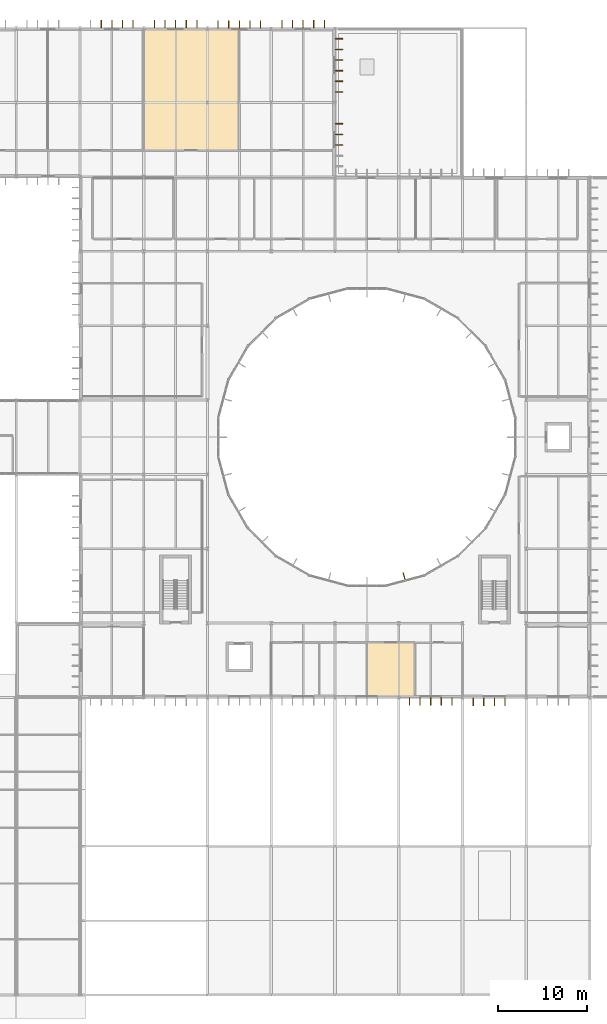
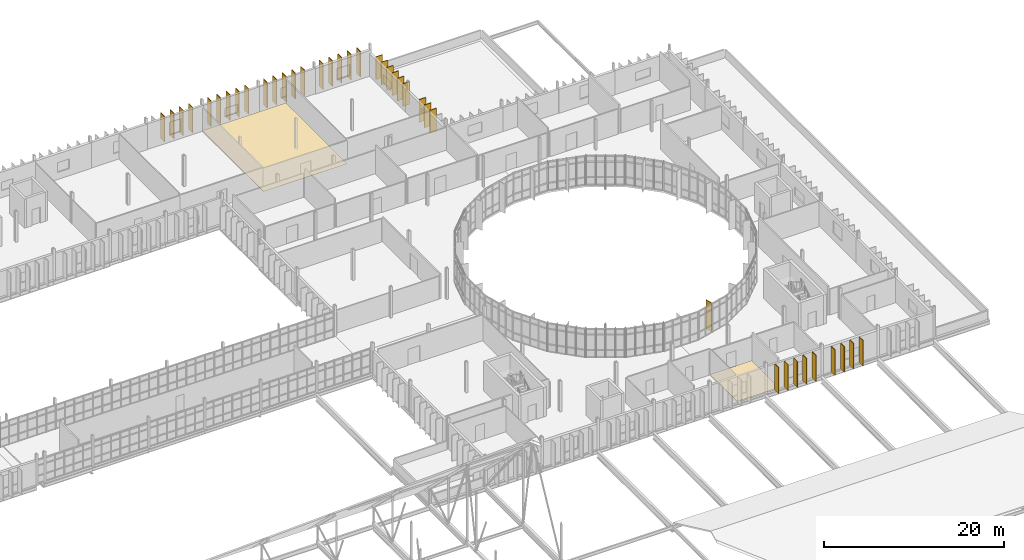
# One storey, part 97 of 99: 38 shading devices, 2 coverings.
"""IFC4 building model written with IfcOpenShell, lengths in metres."""

import ifcopenshell
import ifcopenshell.guid

model = None  # the IFC model being written
_history = None  # IfcOwnerHistory: only IFC2X3 demands one
_inside = {}  # id of a spatial element -> (the spatial element, [elements in it])
_under = {}  # id of a project, library or spatial element -> (it, [spatial elements below it])
_declared = {}  # id of a project -> (the project, [libraries it declares])
_typed = {}  # id of a type object -> (the type object, [elements of that type])
_made_of = {}  # id of a material, layer set ... -> (it, [elements and type objects made of it])


def new_model(schema):
    """Start an empty IFC model of exactly this schema.

    Asked for "IFC4X3", IfcOpenShell would pick the latest addendum, in which some entities
    have other attributes; the version numbers below select the first issue.
    IFC2X3 requires an IfcOwnerHistory on every rooted entity: one is made here for all.
    """
    global model, _history
    if schema == "IFC4X3":
        model = ifcopenshell.file(schema_version=(4, 3, 0, 0))
    else:
        model = ifcopenshell.file(schema=schema)
    _inside.clear()
    _under.clear()
    _declared.clear()
    _typed.clear()
    _made_of.clear()
    _history = None
    if model.schema == "IFC2X3":
        org = make("IfcOrganization", Name="unknown")
        user = make(
            "IfcPersonAndOrganization",
            ThePerson=make("IfcPerson", FamilyName="unknown"),
            TheOrganization=org,
        )
        app = make(
            "IfcApplication",
            ApplicationDeveloper=org,
            Version="unknown",
            ApplicationFullName="unknown",
            ApplicationIdentifier="unknown",
        )
        _history = make(
            "IfcOwnerHistory",
            OwningUser=user,
            OwningApplication=app,
            ChangeAction="ADDED",
            CreationDate=0,
        )
    return model


def make(cls, **values):
    """One entity of the class cls with the attributes given. An attribute that is None is left unset."""
    return model.create_entity(
        cls, **{name: value for name, value in values.items() if value is not None}
    )


def rooted(cls, **values):
    """An entity with a GlobalId (a new one), such as an element, a storey or a relation."""
    return make(cls, GlobalId=ifcopenshell.guid.new(), OwnerHistory=_history, **values)


def si_unit(unit_type, name, prefix=None):
    """IfcSIUnit, for example si_unit("LENGTHUNIT", "METRE", prefix="MILLI")."""
    return make("IfcSIUnit", UnitType=unit_type, Prefix=prefix, Name=name)


def assignment(units):
    """IfcUnitAssignment: the units of a project."""
    return None if units is None else make("IfcUnitAssignment", Units=units)


def point(xyz):
    """IfcCartesianPoint."""
    return None if xyz is None else make("IfcCartesianPoint", Coordinates=xyz)


def direction(xyz):
    """IfcDirection."""
    return None if xyz is None else make("IfcDirection", DirectionRatios=xyz)


def frame(location, z_axis=None, x_axis=None):
    """IfcAxis2Placement3D, a coordinate frame: its origin and axes. An axis left out is left unset."""
    return make(
        "IfcAxis2Placement3D",
        Location=point(location),
        Axis=direction(z_axis),
        RefDirection=direction(x_axis),
    )


def frame_2d(location, x_axis=None):
    """IfcAxis2Placement2D, a coordinate frame in the plane: its origin and x axis."""
    return make(
        "IfcAxis2Placement2D", Location=point(location), RefDirection=direction(x_axis)
    )


def origin():
    """The frame at (0, 0, 0) with its axes left unset."""
    return frame((0.0, 0.0, 0.0))


def origin_2d():
    """The frame at (0, 0) in the plane with its x axis left unset."""
    return frame_2d((0.0, 0.0))


def place(relative_to, where):
    """IfcLocalPlacement: puts the frame where relative to a parent placement (None: the world)."""
    return make(
        "IfcLocalPlacement", PlacementRelTo=relative_to, RelativePlacement=where
    )


def context(
    kind, dimensions, precision=None, world=None, true_north=None, identifier=None
):
    """IfcGeometricRepresentationContext, for example the 3D "Model" context."""
    return make(
        "IfcGeometricRepresentationContext",
        ContextIdentifier=identifier,
        ContextType=kind,
        CoordinateSpaceDimension=dimensions,
        Precision=precision,
        WorldCoordinateSystem=world,
        TrueNorth=true_north,
    )


def subcontext(parent, identifier, kind, view, scale=None):
    """IfcGeometricRepresentationSubContext, for example "Body" below "Model"."""
    return make(
        "IfcGeometricRepresentationSubContext",
        ContextIdentifier=identifier,
        ContextType=kind,
        ParentContext=parent,
        TargetScale=scale,
        TargetView=view,
    )


def project(units=None, contexts=None):
    """IfcProject with its units and contexts."""
    return rooted(
        "IfcProject",
        Name="project",
        RepresentationContexts=contexts,
        UnitsInContext=assignment(units),
    )


def spatial(cls, under=None, at=None, **own):
    """A site, building, storey or space (cls), placed at a placement, below another one or the project."""
    s = rooted(cls, ObjectPlacement=at, **own)
    if under is not None:
        _under.setdefault(under.id(), (under, []))[1].append(s)
    return s


def polyline(points):
    """IfcPolyline through the points."""
    return make("IfcPolyline", Points=[point(p) for p in points])


def profile(cls, at=None, kind="AREA", **sizes):
    """A parametric profile (cls). Its sizes go by their IFC names, for example OverallWidth=200.0."""
    return make(cls, ProfileType=kind, Position=at, **sizes)


def rectangle(**sizes):
    """IfcRectangleProfileDef."""
    return profile("IfcRectangleProfileDef", **sizes)


def outline(outer, holes=None, kind="AREA"):
    """IfcArbitraryClosedProfileDef: a profile drawn as a closed curve; with holes, ...WithVoids."""
    if holes is None:
        return make("IfcArbitraryClosedProfileDef", ProfileType=kind, OuterCurve=outer)
    return make(
        "IfcArbitraryProfileDefWithVoids",
        ProfileType=kind,
        OuterCurve=outer,
        InnerCurves=holes,
    )


def extrude(swept, where, along, depth):
    """IfcExtrudedAreaSolid: the profile swept, set in the frame where, extruded along a direction by depth."""
    return make(
        "IfcExtrudedAreaSolid",
        SweptArea=swept,
        Position=where,
        ExtrudedDirection=direction(along),
        Depth=depth,
    )


def shape(context_of_items, identifier, shape_type, items):
    """IfcShapeRepresentation: the items that make up one representation, for example the "Body"."""
    return make(
        "IfcShapeRepresentation",
        ContextOfItems=context_of_items,
        RepresentationIdentifier=identifier,
        RepresentationType=shape_type,
        Items=items,
    )


def material(Name=None, Category=None):
    """IfcMaterial."""
    return make("IfcMaterial", Name=Name, Category=Category)


def layer(
    of_material, thickness, ventilated=None, Name=None, Category=None, Priority=None
):
    """IfcMaterialLayer: one layer of a wall or slab, of a material (None: an air gap)."""
    return make(
        "IfcMaterialLayer",
        Material=of_material,
        LayerThickness=thickness,
        IsVentilated=ventilated,
        Name=Name,
        Category=Category,
        Priority=Priority,
    )


def layer_set(layers, Name=None):
    """IfcMaterialLayerSet."""
    return make("IfcMaterialLayerSet", MaterialLayers=layers, LayerSetName=Name)


def made_of(thing, what):
    """Note that an element or type object is made of a material, layer set ...; save() writes the relation."""
    if what is not None:
        _made_of.setdefault(what.id(), (what, []))[1].append(thing)
    return thing


def type_object(cls, material=None, **own):
    """A type object (cls), such as IfcWallType, which elements share."""
    return made_of(rooted(cls, **own), material)


def element(
    cls,
    number,
    at=None,
    inside=None,
    cuts=None,
    type_object=None,
    material=None,
    context=None,
    identifier="Body",
    shape_type=None,
    held_by="IfcProductDefinitionShape",
    body=None,
    shapes=None,
    **own,
):
    """One element of the class cls, such as IfcWall. Its Tag is "e" and its number.

    at: its placement. inside: the storey or other place that contains it. cuts: it is an
    opening in that element (IfcRelVoidsElement). A single representation is given by context,
    identifier, shape_type and body (its items); several are given by shapes. held_by: the class
    of the entity that holds the representations. save() writes the other relations.
    """
    e = rooted(cls, Tag="e%d" % number, ObjectPlacement=at, **own)
    if body is not None:
        shapes = [shape(context, identifier, shape_type, body)]
    if shapes is not None:
        e.Representation = make(held_by, Representations=shapes)
    if inside is not None:
        _inside.setdefault(inside.id(), (inside, []))[1].append(e)
    if cuts is not None:
        rooted(
            "IfcRelVoidsElement", RelatingBuildingElement=cuts, RelatedOpeningElement=e
        )
    if type_object is not None:
        _typed.setdefault(type_object.id(), (type_object, []))[1].append(e)
    return made_of(e, material)


def aggregate(whole, parts):
    """IfcRelAggregates: a whole, such as a stair, and the parts it consists of."""
    return rooted("IfcRelAggregates", RelatingObject=whole, RelatedObjects=parts)


def save(model, path):
    """Write the relations noted so far, then the file.

    IfcRelAggregates (storeys below a building ...), IfcRelContainedInSpatialStructure (elements
    in a storey), IfcRelDefinesByType, IfcRelAssociatesMaterial and IfcRelDeclares: one each for
    every whole, place, type object, material and project.
    """
    for whole, parts in _under.values():
        aggregate(whole, parts)
    for where, things in _inside.values():
        rooted(
            "IfcRelContainedInSpatialStructure",
            RelatedElements=things,
            RelatingStructure=where,
        )
    for kind, things in _typed.values():
        rooted("IfcRelDefinesByType", RelatedObjects=things, RelatingType=kind)
    for what, things in _made_of.values():
        rooted("IfcRelAssociatesMaterial", RelatedObjects=things, RelatingMaterial=what)
    for by, libraries in _declared.values():
        rooted("IfcRelDeclares", RelatingContext=by, RelatedDefinitions=libraries)
    model.write(path)


model = new_model("IFC4")

# Units and contexts
model_context = context("Model", 3, precision=1e-05, world=origin(), true_north=direction((0.0, 1.0)))
body_context = subcontext(model_context, "Body", "Model", "MODEL_VIEW")
ifc_project = project(units=[si_unit("LENGTHUNIT", "METRE"), si_unit("AREAUNIT", "SQUARE_METRE"), si_unit("VOLUMEUNIT", "CUBIC_METRE"), si_unit("PLANEANGLEUNIT", "RADIAN"), si_unit("MASSUNIT", "GRAM", prefix="KILO")], contexts=[model_context])

# Site, building, storey
site_placement = place(None, origin())
site = spatial("IfcSite", under=ifc_project, at=site_placement, CompositionType="ELEMENT")
building_placement = place(site_placement, origin())
building = spatial("IfcBuilding", under=site, at=building_placement, Name="Qelthora Terrace Specialist Clinic", CompositionType="ELEMENT")
storey_placement = place(building_placement, frame((0.0, 0.0, 9.0)))
storey = spatial("IfcBuildingStorey", under=building, at=storey_placement, Name="L02", CompositionType="ELEMENT", Elevation=9.0)

# Coverings
ifc_material_1 = material(Name="Antimicrobial clinical linoleum flooring", Category="other")
ifc_layer = layer(ifc_material_1, 0.011962890625)
ifc_layer_set = layer_set([ifc_layer], Name="Antimicrobial clinical linoleum flooring")
covering_type = type_object("IfcCoveringType", Name="COV-FLR-LINO-12", PredefinedType="FLOORING", material=ifc_layer_set)
covering_1_placement = place(storey_placement, origin())
element("IfcCovering", 1, at=covering_1_placement, inside=storey, type_object=covering_type, Name="Hepatology Consultation L02-34 resilient linoleum flooring", PredefinedType="FLOORING", context=body_context, shape_type="SweptSolid", body=[
    extrude(outline(polyline([(126.0048828125, 39.800048828125), (131.39990234375, 39.800048828125), (131.39990234375, 33.72998046875), (126.0048828125, 33.72998046875), (126.0048828125, 39.800048828125)])), origin(), (0.0, 0.0, 1.0), 0.011962890625),
])
covering_2_placement = place(storey_placement, origin())
element("IfcCovering", 2, at=covering_2_placement, inside=storey, type_object=covering_type, Name="Cryopreservation Biobank Room L02-63 resilient linoleum flooring", PredefinedType="FLOORING", context=body_context, shape_type="SweptSolid", body=[
    extrude(outline(polyline([(111.487548828125, 95.39990234375), (100.72998046875, 95.39990234375), (100.72998046875, 109.070068359375), (111.487548828125, 109.070068359375), (111.487548828125, 95.39990234375)])), origin(), (0.0, 0.0, 1.0), 0.011962890625),
])

# Shading devices
ifc_material_2 = material(Name="Glulam timber GL28h", Category="wood")
shading_device_type = type_object("IfcShadingDeviceType", Name="SHD-FIN-850", PredefinedType="USERDEFINED", material=ifc_material_2)
shading_device_placement = place(storey_placement, frame((130.208740234375, 47.292724609375, 0.0), z_axis=(0.0, 0.0, 1.0), x_axis=(-0.258819045103, 0.965925826289, 0.0)))
element("IfcShadingDevice", 3, at=shading_device_placement, inside=storey, type_object=shading_device_type, Name="Court solar fin FIN-0065", ObjectType="FIN", PredefinedType="USERDEFINED", context=body_context, shape_type="SweptSolid", body=[
    extrude(rectangle(XDim=0.85009765625, YDim=0.080078125, at=origin_2d()), origin(), (0.0, 0.0, 1.0), 3.945068359375),
])
for number, where, z_axis, x_axis, name in (
    (4, (96.0, 109.655029296875, 0.0), (0.0, 0.0, 1.0), (0.0, 1.0, 0.0), "Exterior solar shading fin FIN-1249"),
    (5, (97.199951171875, 109.655029296875, 0.0), (0.0, 0.0, 1.0), (0.0, 1.0, 0.0), "Exterior solar shading fin FIN-1250"),
    (6, (98.39990234375, 109.655029296875, 0.0), (0.0, 0.0, 1.0), (0.0, 1.0, 0.0), "Exterior solar shading fin FIN-1251"),
    (7, (99.60009765625, 109.655029296875, 0.0), (0.0, 0.0, 1.0), (0.0, 1.0, 0.0), "Exterior solar shading fin FIN-1252"),
    (8, (102.0, 109.64501953125, 0.0), (0.0, 0.0, 1.0), (0.0, 1.0, 0.0), "Exterior solar shading fin FIN-1253"),
    (9, (103.199951171875, 109.64501953125, 0.0), (0.0, 0.0, 1.0), (0.0, 1.0, 0.0), "Exterior solar shading fin FIN-1254"),
    (10, (104.39990234375, 109.64501953125, 0.0), (0.0, 0.0, 1.0), (0.0, 1.0, 0.0), "Exterior solar shading fin FIN-1255"),
    (11, (105.60009765625, 109.64501953125, 0.0), (0.0, 0.0, 1.0), (0.0, 1.0, 0.0), "Exterior solar shading fin FIN-1256"),
    (12, (106.800048828125, 109.64501953125, 0.0), (0.0, 0.0, 1.0), (0.0, 1.0, 0.0), "Exterior solar shading fin FIN-1257"),
    (13, (109.199951171875, 109.635009765625, 0.0), (0.0, 0.0, 1.0), (0.0, 1.0, 0.0), "Exterior solar shading fin FIN-1258"),
    (14, (110.39990234375, 109.635009765625, 0.0), (0.0, 0.0, 1.0), (0.0, 1.0, 0.0), "Exterior solar shading fin FIN-1259"),
    (15, (111.60009765625, 109.635009765625, 0.0), (0.0, 0.0, 1.0), (0.0, 1.0, 0.0), "Exterior solar shading fin FIN-1260"),
    (16, (112.800048828125, 109.635009765625, 0.0), (0.0, 0.0, 1.0), (0.0, 1.0, 0.0), "Exterior solar shading fin FIN-1261"),
    (17, (114.0, 109.635009765625, 0.0), (0.0, 0.0, 1.0), (0.0, 1.0, 0.0), "Exterior solar shading fin FIN-1262"),
    (18, (116.39990234375, 109.695068359375, 0.0), (0.0, 0.0, 1.0), (0.0, 1.0, 0.0), "Exterior solar shading fin FIN-1263"),
    (19, (117.60009765625, 109.695068359375, 0.0), (0.0, 0.0, 1.0), (0.0, 1.0, 0.0), "Exterior solar shading fin FIN-1264"),
    (20, (118.800048828125, 109.695068359375, 0.0), (0.0, 0.0, 1.0), (0.0, 1.0, 0.0), "Exterior solar shading fin FIN-1265"),
    (21, (120.0, 109.695068359375, 0.0), (0.0, 0.0, 1.0), (0.0, 1.0, 0.0), "Exterior solar shading fin FIN-1266"),
    (22, (121.199951171875, 109.695068359375, 0.0), (0.0, 0.0, 1.0), (0.0, 1.0, 0.0), "Exterior solar shading fin FIN-1267"),
):
    element("IfcShadingDevice", number, at=place(storey_placement, frame(where, z_axis=z_axis, x_axis=x_axis)), inside=storey, type_object=shading_device_type, Name=name, ObjectType="FIN", PredefinedType="USERDEFINED", context=body_context, shape_type="SweptSolid", body=[
        extrude(rectangle(XDim=0.85009765625, YDim=0.080078125, at=origin_2d()), origin(), (0.0, 0.0, 1.0), 3.48193359375),
    ])
for number, where, z_axis, x_axis, name in (
    (23, (122.864990234375, 96.0, 0.0), (0.0, 0.0, 1.0), (1.0, 0.0, 0.0), "Exterior solar shading fin FIN-1270"),
    (24, (122.864990234375, 97.199951171875, 0.0), (0.0, 0.0, 1.0), (1.0, 0.0, 0.0), "Exterior solar shading fin FIN-1271"),
    (25, (122.864990234375, 98.39990234375, 0.0), (0.0, 0.0, 1.0), (1.0, 0.0, 0.0), "Exterior solar shading fin FIN-1272"),
    (26, (122.85498046875, 102.0, 0.0), (0.0, 0.0, 1.0), (1.0, 0.0, 0.0), "Exterior solar shading fin FIN-1273"),
    (27, (122.85498046875, 103.199951171875, 0.0), (0.0, 0.0, 1.0), (1.0, 0.0, 0.0), "Exterior solar shading fin FIN-1274"),
    (28, (122.85498046875, 104.39990234375, 0.0), (0.0, 0.0, 1.0), (1.0, 0.0, 0.0), "Exterior solar shading fin FIN-1275"),
    (29, (122.85498046875, 105.60009765625, 0.0), (0.0, 0.0, 1.0), (1.0, 0.0, 0.0), "Exterior solar shading fin FIN-1276"),
    (30, (122.85498046875, 106.800048828125, 0.0), (0.0, 0.0, 1.0), (1.0, 0.0, 0.0), "Exterior solar shading fin FIN-1277"),
    (31, (122.85498046875, 108.0, 0.0), (0.0, 0.0, 1.0), (1.0, 0.0, 0.0), "Exterior solar shading fin FIN-1278"),
):
    element("IfcShadingDevice", number, at=place(storey_placement, frame(where, z_axis=z_axis, x_axis=x_axis)), inside=storey, type_object=shading_device_type, Name=name, ObjectType="FIN", PredefinedType="USERDEFINED", context=body_context, shape_type="SweptSolid", body=[
        extrude(rectangle(XDim=0.85009765625, YDim=0.080078125, at=origin_2d()), origin(), (0.0, 0.0, 1.0), 3.091064453125),
    ])
for number, where, z_axis, x_axis, name in (
    (32, (130.800048828125, 33.1650390625, 0.0), (0.0, 0.0, 1.0), (0.0, -1.0, 0.0), "Exterior solar shading fin FIN-1358"),
    (33, (132.0, 33.1650390625, 0.0), (0.0, 0.0, 1.0), (0.0, -1.0, 0.0), "Exterior solar shading fin FIN-1359"),
    (34, (133.199951171875, 33.1650390625, 0.0), (0.0, 0.0, 1.0), (0.0, -1.0, 0.0), "Exterior solar shading fin FIN-1360"),
    (35, (134.39990234375, 33.1650390625, 0.0), (0.0, 0.0, 1.0), (0.0, -1.0, 0.0), "Exterior solar shading fin FIN-1361"),
    (36, (135.60009765625, 33.1650390625, 0.0), (0.0, 0.0, 1.0), (0.0, -1.0, 0.0), "Exterior solar shading fin FIN-1362"),
):
    element("IfcShadingDevice", number, at=place(storey_placement, frame(where, z_axis=z_axis, x_axis=x_axis)), inside=storey, type_object=shading_device_type, Name=name, ObjectType="FIN", PredefinedType="USERDEFINED", context=body_context, shape_type="SweptSolid", body=[
        extrude(rectangle(XDim=0.85009765625, YDim=0.080078125, at=origin_2d()), origin(), (0.0, 0.0, 1.0), 3.529052734375),
    ])
for number, where, z_axis, x_axis, name in (
    (37, (138.0, 33.10498046875, 0.0), (0.0, 0.0, 1.0), (0.0, -1.0, 0.0), "Exterior solar shading fin FIN-1363"),
    (38, (139.199951171875, 33.10498046875, 0.0), (0.0, 0.0, 1.0), (0.0, -1.0, 0.0), "Exterior solar shading fin FIN-1364"),
    (39, (140.39990234375, 33.10498046875, 0.0), (0.0, 0.0, 1.0), (0.0, -1.0, 0.0), "Exterior solar shading fin FIN-1365"),
    (40, (141.60009765625, 33.10498046875, 0.0), (0.0, 0.0, 1.0), (0.0, -1.0, 0.0), "Exterior solar shading fin FIN-1366"),
):
    element("IfcShadingDevice", number, at=place(storey_placement, frame(where, z_axis=z_axis, x_axis=x_axis)), inside=storey, type_object=shading_device_type, Name=name, ObjectType="FIN", PredefinedType="USERDEFINED", context=body_context, shape_type="SweptSolid", body=[
        extrude(rectangle(XDim=0.85009765625, YDim=0.080078125, at=origin_2d()), origin(), (0.0, 0.0, 1.0), 3.48193359375),
    ])

save(model, "model.ifc")
